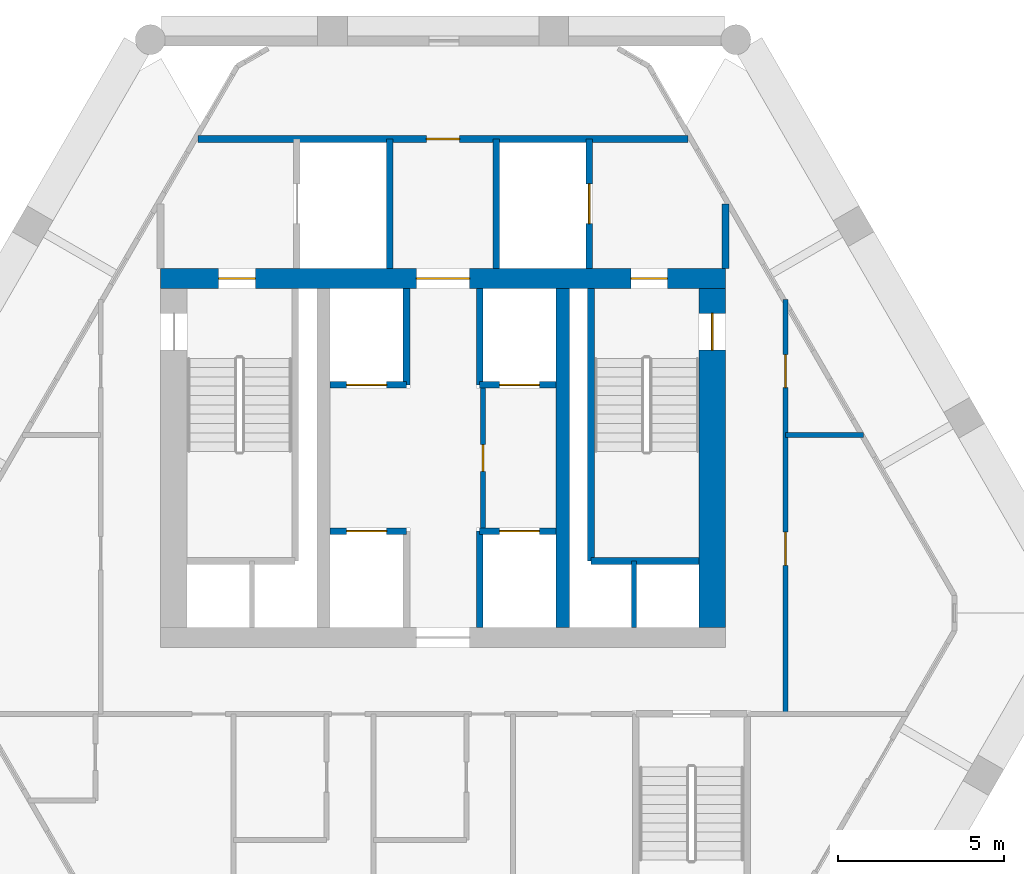
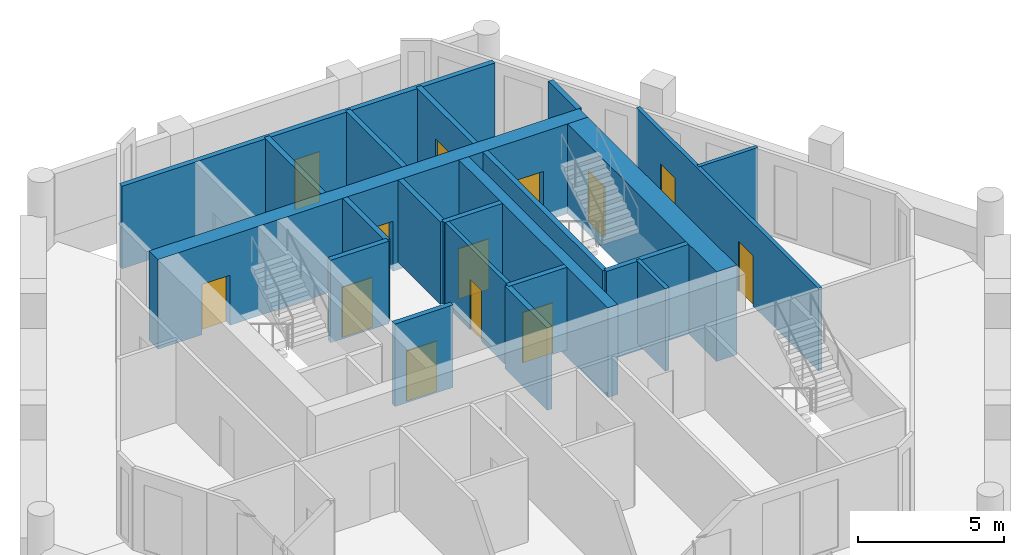
# One storey, part 4 of 6: 21 walls, 13 doors, 13 openings.
"""IFC4 building model written with IfcOpenShell, lengths in metres."""

from ifc_helpers import new_model, si_unit, direction, frame, frame_2d, origin, place, context, subcontext, project, spatial, rectangle, extrude, material, layer, layer_set, type_object, element, fill, save


model = new_model("IFC4")

# Units and contexts
model_context = context("Model", 3, precision=1e-05, world=origin(), true_north=direction((0.0, 1.0)))
body_context = subcontext(model_context, "Body", "Model", "MODEL_VIEW")
ifc_project = project(units=[si_unit("LENGTHUNIT", "METRE"), si_unit("AREAUNIT", "SQUARE_METRE"), si_unit("VOLUMEUNIT", "CUBIC_METRE"), si_unit("PLANEANGLEUNIT", "RADIAN"), si_unit("MASSUNIT", "GRAM", prefix="KILO")], contexts=[model_context])

# Site, building, storey
site_placement = place(None, origin())
site = spatial("IfcSite", under=ifc_project, at=site_placement, CompositionType="ELEMENT")
building_placement = place(site_placement, origin())
building = spatial("IfcBuilding", under=site, at=building_placement, Name="Ostrander Bayou Hotel Tower", CompositionType="ELEMENT")
storey_placement = place(building_placement, frame((0.0, 0.0, 252.5)))
storey = spatial("IfcBuildingStorey", under=building, at=storey_placement, Name="L62", CompositionType="ELEMENT", Elevation=252.5)

# Wall, openings, doors
ifc_material_1 = material(Name="Concrete f'c 60 MPa", Category="concrete")
ifc_layer_1 = layer(ifc_material_1, 0.60009765625)
ifc_layer_set_1 = layer_set([ifc_layer_1], Name="CW10 core wall 600 mm f'c 60 MPa")
wall_type_1 = type_object("IfcWallType", Name="CW10 core wall 600 mm f'c 60 MPa", PredefinedType="SHEAR", material=ifc_layer_set_1)
wall_1_placement = place(storey_placement, frame((-8.5, 9.39990234375, -0.300048828125), z_axis=(0.0, 0.0, 1.0), x_axis=(1.0, 0.0, 0.0)))
wall_1 = element("IfcWall", 1, at=wall_1_placement, inside=storey, type_object=wall_type_1, Name="CW10 L62 N", PredefinedType="SHEAR", context=body_context, shape_type="SweptSolid", body=[
    extrude(rectangle(XDim=17.0, YDim=0.60009765625, at=frame_2d((8.5, 0.0))), origin(), (0.0, 0.0, 1.0), 3.75),
])
opening_1_placement = place(wall_1_placement, frame((7.699951171875, 0.0, 0.0)))
opening_1 = element("IfcOpeningElement", 2, at=opening_1_placement, cuts=wall_1, Name="Opening T60-006", PredefinedType="OPENING", context=body_context, shape_type="SweptSolid", body=[
    extrude(rectangle(XDim=1.60009765625, YDim=2.10009765625, at=frame_2d((0.800048828125, 1.050048828125))), frame((0.0, 0.300048828125, 0.0), z_axis=(0.0, -1.0, 0.0), x_axis=(1.0, 0.0, 0.0)), (0.0, 0.0, 1.0), 0.60009765625),
])
opening_2_placement = place(wall_1_placement, frame((1.75, 0.0, 0.0)))
opening_2 = element("IfcOpeningElement", 3, at=opening_2_placement, cuts=wall_1, Name="Opening T60-007", PredefinedType="OPENING", context=body_context, shape_type="SweptSolid", body=[
    extrude(rectangle(XDim=1.10009765625, YDim=2.10009765625, at=frame_2d((0.550048828125, 1.050048828125))), frame((0.0, 0.300048828125, 0.0), z_axis=(0.0, -1.0, 0.0), x_axis=(1.0, 0.0, 0.0)), (0.0, 0.0, 1.0), 0.60009765625),
])
opening_3_placement = place(wall_1_placement, frame((14.14990234375, 0.0, 0.0)))
opening_3 = element("IfcOpeningElement", 4, at=opening_3_placement, cuts=wall_1, Name="Opening T60-009", PredefinedType="OPENING", context=body_context, shape_type="SweptSolid", body=[
    extrude(rectangle(XDim=1.10009765625, YDim=2.10009765625, at=frame_2d((0.550048828125, 1.050048828125))), frame((0.0, 0.300048828125, 0.0), z_axis=(0.0, -1.0, 0.0), x_axis=(1.0, 0.0, 0.0)), (0.0, 0.0, 1.0), 0.60009765625),
])
ifc_material_2 = material(Name="Timber door leaf", Category="wood")
door_type_1 = type_object("IfcDoorType", Name="D13 double door 1600 x 2100 mm, 1 hour", OperationType="SINGLE_SWING_LEFT", PredefinedType="DOOR", material=ifc_material_2)
door_1_placement = place(opening_1_placement, origin())
door_1 = element("IfcDoor", 5, at=door_1_placement, inside=storey, type_object=door_type_1, Name="dr:L62:006", OperationType="DOUBLE_DOOR_SINGLE_SWING", OverallHeight=2.10009765625, OverallWidth=1.60009765625, PredefinedType="DOOR", context=body_context, shape_type="SweptSolid", body=[
    extrude(rectangle(XDim=1.60009765625, YDim=2.10009765625, at=frame_2d((0.800048828125, 1.050048828125))), frame((0.0, 0.02490234375, 0.0), z_axis=(0.0, -1.0, 0.0), x_axis=(1.0, 0.0, 0.0)), (0.0, 0.0, 1.0), 0.050048828125),
])
fill(opening_1, door_1)
ifc_material_3 = material(Name="Timber door leaf", Category="wood")
door_type_2 = type_object("IfcDoorType", Name="D5 stair door 1100 x 2100 mm, 90 minute", OperationType="SINGLE_SWING_LEFT", PredefinedType="DOOR", material=ifc_material_3)
door_2_placement = place(opening_2_placement, origin())
door_2 = element("IfcDoor", 6, at=door_2_placement, inside=storey, type_object=door_type_2, Name="dr:L62:007", OperationType="SINGLE_SWING_LEFT", OverallHeight=2.10009765625, OverallWidth=1.10009765625, PredefinedType="DOOR", context=body_context, shape_type="SweptSolid", body=[
    extrude(rectangle(XDim=1.10009765625, YDim=2.10009765625, at=frame_2d((0.550048828125, 1.050048828125))), frame((0.0, 0.02490234375, 0.0), z_axis=(0.0, -1.0, 0.0), x_axis=(1.0, 0.0, 0.0)), (0.0, 0.0, 1.0), 0.050048828125),
])
fill(opening_2, door_2)
door_3_placement = place(opening_3_placement, origin())
door_3 = element("IfcDoor", 7, at=door_3_placement, inside=storey, type_object=door_type_2, Name="dr:L62:009", OperationType="SINGLE_SWING_RIGHT", OverallHeight=2.10009765625, OverallWidth=1.10009765625, PredefinedType="DOOR", context=body_context, shape_type="SweptSolid", body=[
    extrude(rectangle(XDim=1.10009765625, YDim=2.10009765625, at=frame_2d((0.550048828125, 1.050048828125))), frame((0.0, 0.02490234375, 0.0), z_axis=(0.0, -1.0, 0.0), x_axis=(1.0, 0.0, 0.0)), (0.0, 0.0, 1.0), 0.050048828125),
])
fill(opening_3, door_3)

# Wall, opening, door
ifc_material_4 = material(Name="Concrete f'c 60 MPa", Category="concrete")
ifc_layer_2 = layer(ifc_material_4, 0.800048828125)
ifc_layer_set_2 = layer_set([ifc_layer_2], Name="CW11 core spine wall 800 mm f'c 60 MPa")
wall_type_2 = type_object("IfcWallType", Name="CW11 core spine wall 800 mm f'c 60 MPa", PredefinedType="SHEAR", material=ifc_layer_set_2)
wall_2_placement = place(storey_placement, frame((8.10009765625, -1.10009765625, -0.300048828125), z_axis=(0.0, 0.0, 1.0), x_axis=(0.0, 1.0, 0.0)))
wall_2 = element("IfcWall", 8, at=wall_2_placement, inside=storey, type_object=wall_type_2, Name="CW11 L62 E", PredefinedType="SHEAR", context=body_context, shape_type="SweptSolid", body=[
    extrude(rectangle(XDim=10.2001953125, YDim=0.800048828125, at=frame_2d((5.10009765625, 0.0))), origin(), (0.0, 0.0, 1.0), 3.75),
])
opening_4_placement = place(wall_2_placement, frame((8.35009765625, 0.0, 0.0)))
opening_4 = element("IfcOpeningElement", 9, at=opening_4_placement, cuts=wall_2, Name="Opening T60-010", PredefinedType="OPENING", context=body_context, shape_type="SweptSolid", body=[
    extrude(rectangle(XDim=1.10009765625, YDim=2.10009765625, at=frame_2d((0.550048828125, 1.050048828125))), frame((0.0, 0.39990234375, 0.0), z_axis=(0.0, -1.0, 0.0), x_axis=(1.0, 0.0, 0.0)), (0.0, 0.0, 1.0), 0.800048828125),
])
door_4_placement = place(opening_4_placement, origin())
door_4 = element("IfcDoor", 10, at=door_4_placement, inside=storey, type_object=door_type_2, Name="dr:L62:010", OperationType="SINGLE_SWING_LEFT", OverallHeight=2.10009765625, OverallWidth=1.10009765625, PredefinedType="DOOR", context=body_context, shape_type="SweptSolid", body=[
    extrude(rectangle(XDim=1.10009765625, YDim=2.10009765625, at=frame_2d((0.550048828125, 1.050048828125))), frame((0.0, 0.02490234375, 0.0), z_axis=(0.0, -1.0, 0.0), x_axis=(1.0, 0.0, 0.0)), (0.0, 0.0, 1.0), 0.050048828125),
])
fill(opening_4, door_4)

# Wall
ifc_material_5 = material(Name="Concrete f'c 60 MPa", Category="concrete")
ifc_layer_3 = layer(ifc_material_5, 0.39990234375)
ifc_layer_set_3 = layer_set([ifc_layer_3], Name="CW12 core bank wall 400 mm f'c 60 MPa")
wall_type_3 = type_object("IfcWallType", Name="CW12 core bank wall 400 mm f'c 60 MPa", PredefinedType="SHEAR", material=ifc_layer_set_3)
wall_3_placement = place(storey_placement, frame((3.60009765625, -1.10009765625, -0.300048828125), z_axis=(0.0, 0.0, 1.0), x_axis=(0.0, 1.0, 0.0)))
element("IfcWall", 11, at=wall_3_placement, inside=storey, type_object=wall_type_3, Name="CW12 L62 CE", PredefinedType="SHEAR", context=body_context, shape_type="SweptSolid", body=[
    extrude(rectangle(XDim=10.2001953125, YDim=0.39990234375, at=frame_2d((5.10009765625, 0.0))), origin(), (0.0, 0.0, 1.0), 3.75),
])

# Wall, opening, door
ifc_material_6 = material(Name="Masonry block", Category="masonry")
ifc_layer_4 = layer(ifc_material_6, 0.199951171875)
ifc_layer_set_4 = layer_set([ifc_layer_4], Name="PT5 stair enclosure wall 200 mm masonry, 2 hour")
wall_type_4 = type_object("IfcWallType", Name="PT5 stair enclosure wall 200 mm masonry, 2 hour", PredefinedType="PARTITIONING", material=ifc_layer_set_4)
wall_4_placement = place(storey_placement, frame((-7.372314453125, 13.60009765625, 0.0), z_axis=(0.0, 0.0, 1.0), x_axis=(1.0, 0.0, 0.0)))
wall_4 = element("IfcWall", 12, at=wall_4_placement, inside=storey, type_object=wall_type_4, Name="cs:L62:020", PredefinedType="PARTITIONING", context=body_context, shape_type="SweptSolid", body=[
    extrude(rectangle(XDim=14.74462890625, YDim=0.199951171875, at=frame_2d((7.372314453125, 0.0))), origin(), (0.0, 0.0, 1.0), 3.449951171875),
])
opening_5_placement = place(wall_4_placement, frame((6.872314453125, 0.0, 0.0)))
opening_5 = element("IfcOpeningElement", 13, at=opening_5_placement, cuts=wall_4, Name="Opening T60-014", PredefinedType="OPENING", context=body_context, shape_type="SweptSolid", body=[
    extrude(rectangle(XDim=1.0, YDim=2.10009765625, at=frame_2d((0.5, 1.050048828125))), frame((0.0, 0.10009765625, 0.0), z_axis=(0.0, -1.0, 0.0), x_axis=(1.0, 0.0, 0.0)), (0.0, 0.0, 1.0), 0.199951171875),
])
ifc_material_7 = material(Name="Timber door leaf", Category="wood")
door_type_3 = type_object("IfcDoorType", Name="D9 service door 1000 x 2100 mm, 30 minute", OperationType="SINGLE_SWING_LEFT", PredefinedType="DOOR", material=ifc_material_7)
door_5_placement = place(opening_5_placement, origin())
door_5 = element("IfcDoor", 14, at=door_5_placement, inside=storey, type_object=door_type_3, Name="dr:L62:014", OperationType="SINGLE_SWING_LEFT", OverallHeight=2.10009765625, OverallWidth=1.0, PredefinedType="DOOR", context=body_context, shape_type="SweptSolid", body=[
    extrude(rectangle(XDim=1.0, YDim=2.10009765625, at=frame_2d((0.5, 1.050048828125))), frame((0.0, 0.02490234375, 0.0), z_axis=(0.0, -1.0, 0.0), x_axis=(1.0, 0.0, 0.0)), (0.0, 0.0, 1.0), 0.050048828125),
])
fill(opening_5, door_5)

# Wall
wall_5_placement = place(storey_placement, frame((8.5, 9.699951171875, 0.0), z_axis=(0.0, 0.0, 1.0), x_axis=(0.0, 1.0, 0.0)))
element("IfcWall", 15, at=wall_5_placement, inside=storey, type_object=wall_type_4, Name="cs:L62:022", PredefinedType="PARTITIONING", context=body_context, shape_type="SweptSolid", body=[
    extrude(rectangle(XDim=1.946533203125, YDim=0.199951171875, at=frame_2d((0.97314453125, 0.0))), origin(), (0.0, 0.0, 1.0), 3.449951171875),
])

# Wall, opening, door
wall_6_placement = place(storey_placement, frame((4.39990234375, 9.699951171875, 0.0), z_axis=(0.0, 0.0, 1.0), x_axis=(0.0, 1.0, 0.0)))
wall_6 = element("IfcWall", 16, at=wall_6_placement, inside=storey, type_object=wall_type_4, Name="cs:L62:024", PredefinedType="PARTITIONING", context=body_context, shape_type="SweptSolid", body=[
    extrude(rectangle(XDim=3.900146484375, YDim=0.199951171875, at=frame_2d((1.9501953125, 0.0))), origin(), (0.0, 0.0, 1.0), 3.449951171875),
])
opening_6_placement = place(wall_6_placement, frame((1.35009765625, 0.0, 0.0)))
opening_6 = element("IfcOpeningElement", 17, at=opening_6_placement, cuts=wall_6, Name="Opening T60-013", PredefinedType="OPENING", context=body_context, shape_type="SweptSolid", body=[
    extrude(rectangle(XDim=1.199951171875, YDim=2.10009765625, at=frame_2d((0.60009765625, 1.050048828125))), frame((0.0, 0.10009765625, 0.0), z_axis=(0.0, -1.0, 0.0), x_axis=(1.0, 0.0, 0.0)), (0.0, 0.0, 1.0), 0.199951171875),
])
ifc_material_8 = material(Name="Stainless steel sliding door", Category="steel")
door_type_4 = type_object("IfcDoorType", Name="LD1 lift landing door 1200 x 2100 mm", OperationType="SINGLE_SWING_LEFT", PredefinedType="DOOR", material=ifc_material_8)
door_6_placement = place(opening_6_placement, origin())
door_6 = element("IfcDoor", 18, at=door_6_placement, inside=storey, type_object=door_type_4, Name="dr:L62:013", OperationType="SLIDING_TO_LEFT", OverallHeight=2.10009765625, OverallWidth=1.199951171875, PredefinedType="DOOR", context=body_context, shape_type="SweptSolid", body=[
    extrude(rectangle(XDim=1.199951171875, YDim=2.10009765625, at=frame_2d((0.60009765625, 1.050048828125))), frame((0.0, 0.02490234375, 0.0), z_axis=(0.0, -1.0, 0.0), x_axis=(1.0, 0.0, 0.0)), (0.0, 0.0, 1.0), 0.050048828125),
])
fill(opening_6, door_6)

ifc_material_9 = material(Name="Masonry block", Category="masonry")
ifc_layer_5 = layer(ifc_material_9, 0.199951171875)
ifc_layer_set_5 = layer_set([ifc_layer_5], Name="PT6 lift shaft wall 200 mm masonry, 2 hour")
wall_type_5 = type_object("IfcWallType", Name="PT6 lift shaft wall 200 mm masonry, 2 hour", PredefinedType="PARTITIONING", material=ifc_layer_set_5)
wall_7_placement = place(storey_placement, frame((-3.39990234375, 1.800048828125, 0.0), z_axis=(0.0, 0.0, 1.0), x_axis=(1.0, 0.0, 0.0)))
wall_7 = element("IfcWall", 19, at=wall_7_placement, inside=storey, type_object=wall_type_5, Name="cs:L62:001", PredefinedType="PARTITIONING", context=body_context, shape_type="SweptSolid", body=[
    extrude(rectangle(XDim=2.2998046875, YDim=0.199951171875, at=frame_2d((1.14990234375, 0.0))), origin(), (0.0, 0.0, 1.0), 3.449951171875),
])
opening_7_placement = place(wall_7_placement, frame((0.5, 0.0, 0.0)))
opening_7 = element("IfcOpeningElement", 20, at=opening_7_placement, cuts=wall_7, Name="Opening T60-001", PredefinedType="OPENING", context=body_context, shape_type="SweptSolid", body=[
    extrude(rectangle(XDim=1.199951171875, YDim=2.10009765625, at=frame_2d((0.60009765625, 1.050048828125))), frame((0.0, 0.10009765625, 0.0), z_axis=(0.0, -1.0, 0.0), x_axis=(1.0, 0.0, 0.0)), (0.0, 0.0, 1.0), 0.199951171875),
])
door_7_placement = place(opening_7_placement, origin())
door_7 = element("IfcDoor", 21, at=door_7_placement, inside=storey, type_object=door_type_4, Name="dr:L62:001", OperationType="SLIDING_TO_LEFT", OverallHeight=2.10009765625, OverallWidth=1.199951171875, PredefinedType="DOOR", context=body_context, shape_type="SweptSolid", body=[
    extrude(rectangle(XDim=1.199951171875, YDim=2.10009765625, at=frame_2d((0.60009765625, 1.050048828125))), frame((0.0, 0.02490234375, 0.0), z_axis=(0.0, -1.0, 0.0), x_axis=(1.0, 0.0, 0.0)), (0.0, 0.0, 1.0), 0.050048828125),
])
fill(opening_7, door_7)

wall_8_placement = place(storey_placement, frame((-3.39990234375, 6.199951171875, 0.0), z_axis=(0.0, 0.0, 1.0), x_axis=(1.0, 0.0, 0.0)))
wall_8 = element("IfcWall", 22, at=wall_8_placement, inside=storey, type_object=wall_type_5, Name="cs:L62:002", PredefinedType="PARTITIONING", context=body_context, shape_type="SweptSolid", body=[
    extrude(rectangle(XDim=2.2998046875, YDim=0.199951171875, at=frame_2d((1.14990234375, 0.0))), origin(), (0.0, 0.0, 1.0), 3.449951171875),
])
opening_8_placement = place(wall_8_placement, frame((0.5, 0.0, 0.0)))
opening_8 = element("IfcOpeningElement", 23, at=opening_8_placement, cuts=wall_8, Name="Opening T60-003", PredefinedType="OPENING", context=body_context, shape_type="SweptSolid", body=[
    extrude(rectangle(XDim=1.199951171875, YDim=2.10009765625, at=frame_2d((0.60009765625, 1.050048828125))), frame((0.0, 0.10009765625, 0.0), z_axis=(0.0, -1.0, 0.0), x_axis=(1.0, 0.0, 0.0)), (0.0, 0.0, 1.0), 0.199951171875),
])
door_8_placement = place(opening_8_placement, origin())
door_8 = element("IfcDoor", 24, at=door_8_placement, inside=storey, type_object=door_type_4, Name="dr:L62:003", OperationType="SLIDING_TO_LEFT", OverallHeight=2.10009765625, OverallWidth=1.199951171875, PredefinedType="DOOR", context=body_context, shape_type="SweptSolid", body=[
    extrude(rectangle(XDim=1.199951171875, YDim=2.10009765625, at=frame_2d((0.60009765625, 1.050048828125))), frame((0.0, 0.02490234375, 0.0), z_axis=(0.0, -1.0, 0.0), x_axis=(1.0, 0.0, 0.0)), (0.0, 0.0, 1.0), 0.050048828125),
])
fill(opening_8, door_8)

wall_9_placement = place(storey_placement, frame((1.10009765625, 1.800048828125, 0.0), z_axis=(0.0, 0.0, 1.0), x_axis=(1.0, 0.0, 0.0)))
wall_9 = element("IfcWall", 25, at=wall_9_placement, inside=storey, type_object=wall_type_5, Name="cs:L62:003", PredefinedType="PARTITIONING", context=body_context, shape_type="SweptSolid", body=[
    extrude(rectangle(XDim=2.2998046875, YDim=0.199951171875, at=frame_2d((1.14990234375, 0.0))), origin(), (0.0, 0.0, 1.0), 3.449951171875),
])
opening_9_placement = place(wall_9_placement, frame((0.60009765625, 0.0, 0.0)))
opening_9 = element("IfcOpeningElement", 26, at=opening_9_placement, cuts=wall_9, Name="Opening T60-002", PredefinedType="OPENING", context=body_context, shape_type="SweptSolid", body=[
    extrude(rectangle(XDim=1.199951171875, YDim=2.10009765625, at=frame_2d((0.60009765625, 1.050048828125))), frame((0.0, 0.10009765625, 0.0), z_axis=(0.0, -1.0, 0.0), x_axis=(1.0, 0.0, 0.0)), (0.0, 0.0, 1.0), 0.199951171875),
])
door_9_placement = place(opening_9_placement, origin())
door_9 = element("IfcDoor", 27, at=door_9_placement, inside=storey, type_object=door_type_4, Name="dr:L62:002", OperationType="SLIDING_TO_LEFT", OverallHeight=2.10009765625, OverallWidth=1.199951171875, PredefinedType="DOOR", context=body_context, shape_type="SweptSolid", body=[
    extrude(rectangle(XDim=1.199951171875, YDim=2.10009765625, at=frame_2d((0.60009765625, 1.050048828125))), frame((0.0, 0.02490234375, 0.0), z_axis=(0.0, -1.0, 0.0), x_axis=(1.0, 0.0, 0.0)), (0.0, 0.0, 1.0), 0.050048828125),
])
fill(opening_9, door_9)

wall_10_placement = place(storey_placement, frame((1.10009765625, 6.199951171875, 0.0), z_axis=(0.0, 0.0, 1.0), x_axis=(1.0, 0.0, 0.0)))
wall_10 = element("IfcWall", 28, at=wall_10_placement, inside=storey, type_object=wall_type_5, Name="cs:L62:004", PredefinedType="PARTITIONING", context=body_context, shape_type="SweptSolid", body=[
    extrude(rectangle(XDim=2.2998046875, YDim=0.199951171875, at=frame_2d((1.14990234375, 0.0))), origin(), (0.0, 0.0, 1.0), 3.449951171875),
])
opening_10_placement = place(wall_10_placement, frame((0.60009765625, 0.0, 0.0)))
opening_10 = element("IfcOpeningElement", 29, at=opening_10_placement, cuts=wall_10, Name="Opening T60-004", PredefinedType="OPENING", context=body_context, shape_type="SweptSolid", body=[
    extrude(rectangle(XDim=1.199951171875, YDim=2.10009765625, at=frame_2d((0.60009765625, 1.050048828125))), frame((0.0, 0.10009765625, 0.0), z_axis=(0.0, -1.0, 0.0), x_axis=(1.0, 0.0, 0.0)), (0.0, 0.0, 1.0), 0.199951171875),
])
door_10_placement = place(opening_10_placement, origin())
door_10 = element("IfcDoor", 30, at=door_10_placement, inside=storey, type_object=door_type_4, Name="dr:L62:004", OperationType="SLIDING_TO_LEFT", OverallHeight=2.10009765625, OverallWidth=1.199951171875, PredefinedType="DOOR", context=body_context, shape_type="SweptSolid", body=[
    extrude(rectangle(XDim=1.199951171875, YDim=2.10009765625, at=frame_2d((0.60009765625, 1.050048828125))), frame((0.0, 0.02490234375, 0.0), z_axis=(0.0, -1.0, 0.0), x_axis=(1.0, 0.0, 0.0)), (0.0, 0.0, 1.0), 0.050048828125),
])
fill(opening_10, door_10)

# Walls
for number, where, z_axis, x_axis, name in (
    (31, (1.10009765625, -1.10009765625, 0.0), (0.0, 0.0, 1.0), (0.0, 1.0, 0.0), "cs:L62:006"),
    (32, (-1.10009765625, 6.199951171875, 0.0), (0.0, 0.0, 1.0), (0.0, 1.0, 0.0), "cs:L62:007"),
    (33, (1.10009765625, 6.199951171875, 0.0), (0.0, 0.0, 1.0), (0.0, 1.0, 0.0), "cs:L62:008"),
):
    element("IfcWall", number, at=place(storey_placement, frame(where, z_axis=z_axis, x_axis=x_axis)), inside=storey, type_object=wall_type_5, Name=name, PredefinedType="PARTITIONING", context=body_context, shape_type="SweptSolid", body=[
        extrude(rectangle(XDim=2.900146484375, YDim=0.199951171875, at=frame_2d((1.4501953125, 0.0))), origin(), (0.0, 0.0, 1.0), 3.449951171875),
    ])
for number, where, z_axis, x_axis, name in (
    (34, (-1.60009765625, 9.699951171875, 0.0), (0.0, 0.0, 1.0), (0.0, 1.0, 0.0), "cs:L62:025"),
    (35, (1.60009765625, 9.699951171875, 0.0), (0.0, 0.0, 1.0), (0.0, 1.0, 0.0), "cs:L62:026"),
):
    element("IfcWall", number, at=place(storey_placement, frame(where, z_axis=z_axis, x_axis=x_axis)), inside=storey, type_object=wall_type_5, Name=name, PredefinedType="PARTITIONING", context=body_context, shape_type="SweptSolid", body=[
        extrude(rectangle(XDim=3.900146484375, YDim=0.199951171875, at=frame_2d((1.9501953125, 0.0))), origin(), (0.0, 0.0, 1.0), 3.449951171875),
    ])
ifc_material_10 = material(Name="Gypsum board partition", Category="finish")
ifc_layer_6 = layer(ifc_material_10, 0.14990234375)
ifc_layer_set_6 = layer_set([ifc_layer_6], Name="PT7 riser wall 150 mm, 2 hour")
wall_type_6 = type_object("IfcWallType", Name="PT7 riser wall 150 mm, 2 hour", PredefinedType="PARTITIONING", material=ifc_layer_set_6)
wall_11_placement = place(storey_placement, frame((5.75, -1.10009765625, 0.0), z_axis=(0.0, 0.0, 1.0), x_axis=(0.0, 1.0, 0.0)))
element("IfcWall", 36, at=wall_11_placement, inside=storey, type_object=wall_type_6, Name="cs:L62:014", PredefinedType="PARTITIONING", context=body_context, shape_type="SweptSolid", body=[
    extrude(rectangle(XDim=2.0, YDim=0.14990234375, at=frame_2d((1.0, 0.0))), origin(), (0.0, 0.0, 1.0), 3.449951171875),
])

# Wall, opening, door
wall_12_placement = place(storey_placement, frame((1.199951171875, 1.89990234375, 0.0), z_axis=(0.0, 0.0, 1.0), x_axis=(0.0, 1.0, 0.0)))
wall_12 = element("IfcWall", 37, at=wall_12_placement, inside=storey, type_object=wall_type_6, Name="cs:L62:027", PredefinedType="PARTITIONING", context=body_context, shape_type="SweptSolid", body=[
    extrude(rectangle(XDim=4.2001953125, YDim=0.14990234375, at=frame_2d((2.10009765625, 0.0))), origin(), (0.0, 0.0, 1.0), 3.449951171875),
])
opening_11_placement = place(wall_12_placement, frame((1.699951171875, 0.0, 0.0)))
opening_11 = element("IfcOpeningElement", 38, at=opening_11_placement, cuts=wall_12, Name="Opening T60-015", PredefinedType="OPENING", context=body_context, shape_type="SweptSolid", body=[
    extrude(rectangle(XDim=0.800048828125, YDim=2.10009765625, at=frame_2d((0.39990234375, 1.050048828125))), frame((0.0, 0.074951171875, 0.0), z_axis=(0.0, -1.0, 0.0), x_axis=(1.0, 0.0, 0.0)), (0.0, 0.0, 1.0), 0.14990234375),
])
ifc_material_11 = material(Name="Timber door leaf", Category="wood")
door_type_5 = type_object("IfcDoorType", Name="D6 riser door 800 x 2100 mm, 90 minute", OperationType="SINGLE_SWING_LEFT", PredefinedType="DOOR", material=ifc_material_11)
door_11_placement = place(opening_11_placement, origin())
door_11 = element("IfcDoor", 39, at=door_11_placement, inside=storey, type_object=door_type_5, Name="dr:L62:015", OperationType="SINGLE_SWING_RIGHT", OverallHeight=2.10009765625, OverallWidth=0.800048828125, PredefinedType="DOOR", context=body_context, shape_type="SweptSolid", body=[
    extrude(rectangle(XDim=0.800048828125, YDim=2.10009765625, at=frame_2d((0.39990234375, 1.050048828125))), frame((0.0, 0.02490234375, 0.0), z_axis=(0.0, -1.0, 0.0), x_axis=(1.0, 0.0, 0.0)), (0.0, 0.0, 1.0), 0.050048828125),
])
fill(opening_11, door_11)

# Wall
ifc_material_12 = material(Name="Gypsum board partition", Category="finish")
ifc_layer_7 = layer(ifc_material_12, 0.14990234375)
ifc_layer_set_7 = layer_set([ifc_layer_7], Name="PT8 service band wall 150 mm, 1 hour")
wall_type_7 = type_object("IfcWallType", Name="PT8 service band wall 150 mm, 1 hour", PredefinedType="PARTITIONING", material=ifc_layer_set_7)
wall_13_placement = place(storey_placement, frame((10.300048828125, 4.699951171875, 0.0), z_axis=(0.0, 0.0, 1.0), x_axis=(1.0, 0.0, 0.0)))
element("IfcWall", 40, at=wall_13_placement, inside=storey, type_object=wall_type_7, Name="gw:L62:007", PredefinedType="PARTITIONING", context=body_context, shape_type="SweptSolid", body=[
    extrude(rectangle(XDim=2.348876953125, YDim=0.14990234375, at=frame_2d((1.17431640625, 0.0))), origin(), (0.0, 0.0, 1.0), 3.449951171875),
])

# Wall, openings, doors
wall_14_placement = place(storey_placement, frame((10.300048828125, -3.699951171875, 0.0), z_axis=(0.0, 0.0, 1.0), x_axis=(0.0, 1.0, 0.0)))
wall_14 = element("IfcWall", 41, at=wall_14_placement, inside=storey, type_object=wall_type_7, Name="gw:L62:008", PredefinedType="PARTITIONING", context=body_context, shape_type="SweptSolid", body=[
    extrude(rectangle(XDim=12.468994140625, YDim=0.14990234375, at=frame_2d((6.234375, 0.0))), origin(), (0.0, 0.0, 1.0), 3.449951171875),
])
opening_12_placement = place(wall_14_placement, frame((4.470947265625, 0.0, 0.0)))
opening_12 = element("IfcOpeningElement", 42, at=opening_12_placement, cuts=wall_14, Name="Opening T60-409", PredefinedType="OPENING", context=body_context, shape_type="SweptSolid", body=[
    extrude(rectangle(XDim=1.0, YDim=2.10009765625, at=frame_2d((0.5, 1.050048828125))), frame((0.0, 0.074951171875, 0.0), z_axis=(0.0, -1.0, 0.0), x_axis=(1.0, 0.0, 0.0)), (0.0, 0.0, 1.0), 0.14990234375),
])
opening_13_placement = place(wall_14_placement, frame((9.81494140625, 0.0, 0.0)))
opening_13 = element("IfcOpeningElement", 43, at=opening_13_placement, cuts=wall_14, Name="Opening T60-410", PredefinedType="OPENING", context=body_context, shape_type="SweptSolid", body=[
    extrude(rectangle(XDim=1.0, YDim=2.10009765625, at=frame_2d((0.5, 1.050048828125))), frame((0.0, 0.074951171875, 0.0), z_axis=(0.0, -1.0, 0.0), x_axis=(1.0, 0.0, 0.0)), (0.0, 0.0, 1.0), 0.14990234375),
])
ifc_material_13 = material(Name="Timber door leaf", Category="wood")
door_type_6 = type_object("IfcDoorType", Name="D15 room door 1000 x 2100 mm", OperationType="SINGLE_SWING_LEFT", PredefinedType="DOOR", material=ifc_material_13)
door_12_placement = place(opening_12_placement, origin())
door_12 = element("IfcDoor", 44, at=door_12_placement, inside=storey, type_object=door_type_6, Name="dr:L62:409", OperationType="SINGLE_SWING_LEFT", OverallHeight=2.10009765625, OverallWidth=1.0, PredefinedType="DOOR", context=body_context, shape_type="SweptSolid", body=[
    extrude(rectangle(XDim=1.0, YDim=2.10009765625, at=frame_2d((0.5, 1.050048828125))), frame((0.0, 0.02490234375, 0.0), z_axis=(0.0, -1.0, 0.0), x_axis=(1.0, 0.0, 0.0)), (0.0, 0.0, 1.0), 0.050048828125),
])
fill(opening_12, door_12)
door_13_placement = place(opening_13_placement, origin())
door_13 = element("IfcDoor", 45, at=door_13_placement, inside=storey, type_object=door_type_3, Name="dr:L62:410", OperationType="SINGLE_SWING_LEFT", OverallHeight=2.10009765625, OverallWidth=1.0, PredefinedType="DOOR", context=body_context, shape_type="SweptSolid", body=[
    extrude(rectangle(XDim=1.0, YDim=2.10009765625, at=frame_2d((0.5, 1.050048828125))), frame((0.0, 0.02490234375, 0.0), z_axis=(0.0, -1.0, 0.0), x_axis=(1.0, 0.0, 0.0)), (0.0, 0.0, 1.0), 0.050048828125),
])
fill(opening_13, door_13)

# Walls
ifc_material_14 = material(Name="Concrete f'c 45 MPa", Category="concrete")
ifc_layer_8 = layer(ifc_material_14, 0.199951171875)
ifc_layer_set_8 = layer_set([ifc_layer_8], Name="SW5 stair enclosure wall 200 mm f'c 45 MPa")
wall_type_8 = type_object("IfcWallType", Name="SW5 stair enclosure wall 200 mm f'c 45 MPa", PredefinedType="SOLIDWALL", material=ifc_layer_set_8)
wall_15_placement = place(storey_placement, frame((4.449951171875, 0.89990234375, -0.300048828125), z_axis=(0.0, 0.0, 1.0), x_axis=(0.0, 1.0, 0.0)))
element("IfcWall", 46, at=wall_15_placement, inside=storey, type_object=wall_type_8, Name="cs:L62:012", PredefinedType="SOLIDWALL", context=body_context, shape_type="SweptSolid", body=[
    extrude(rectangle(XDim=8.2001953125, YDim=0.199951171875, at=frame_2d((4.10009765625, 0.0))), origin(), (0.0, 0.0, 1.0), 3.75),
])
wall_16_placement = place(storey_placement, frame((4.449951171875, 0.89990234375, -0.300048828125), z_axis=(0.0, 0.0, 1.0), x_axis=(1.0, 0.0, 0.0)))
element("IfcWall", 47, at=wall_16_placement, inside=storey, type_object=wall_type_8, Name="cs:L62:013", PredefinedType="SOLIDWALL", context=body_context, shape_type="SweptSolid", body=[
    extrude(rectangle(XDim=3.25, YDim=0.199951171875, at=frame_2d((1.625, 0.0))), origin(), (0.0, 0.0, 1.0), 3.75),
])

save(model, "model.ifc")
